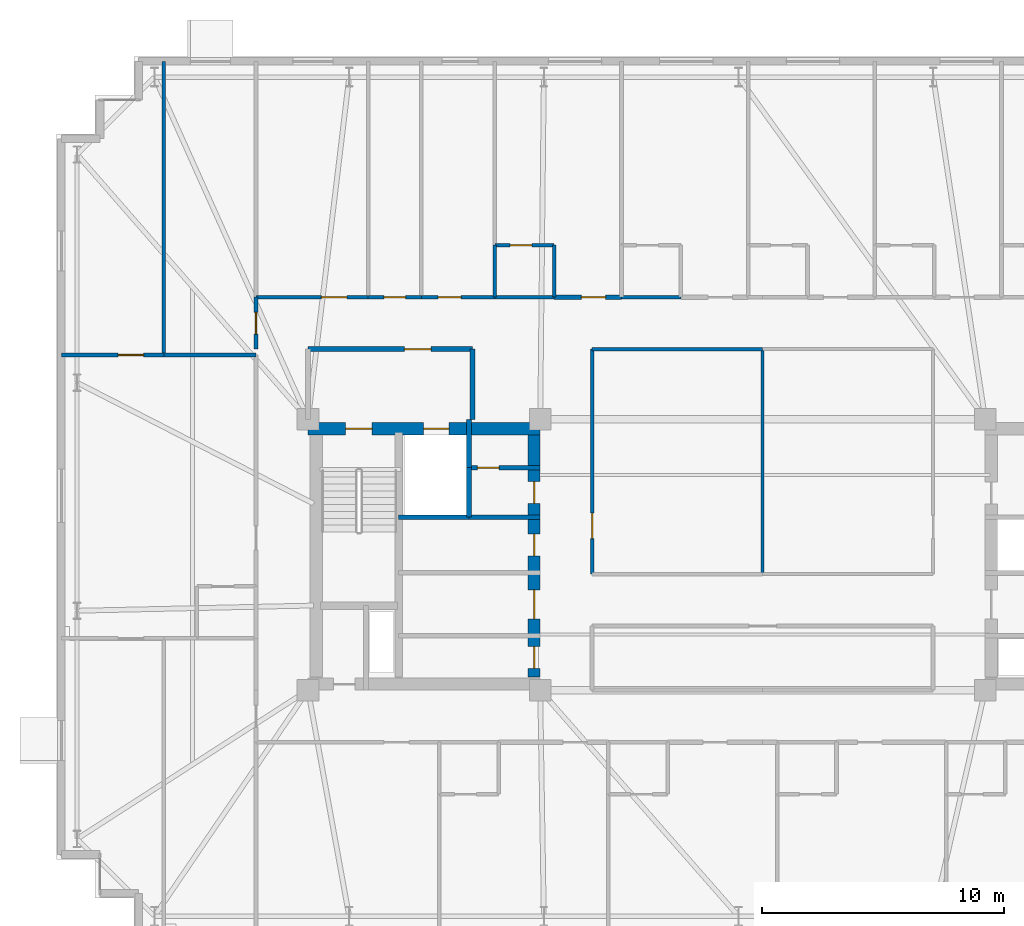
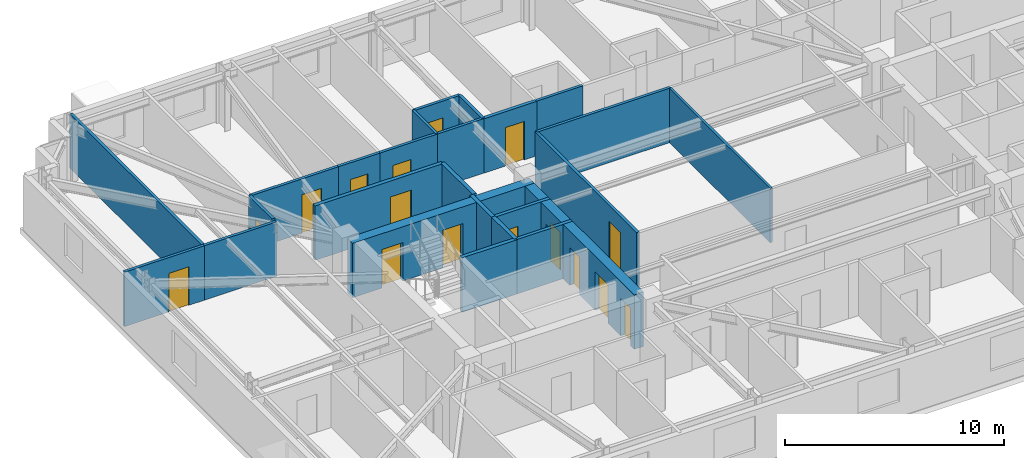
# One storey, part 12 of 17: 25 walls, 16 doors, 16 openings.
"""IFC4 building model written with IfcOpenShell, lengths in metres."""

from ifc_helpers import new_model, si_unit, direction, frame, frame_2d, origin, place, context, subcontext, project, spatial, rectangle, extrude, material, layer, layer_set, type_object, element, fill, save


model = new_model("IFC4")

# Units and contexts
model_context = context("Model", 3, precision=1e-05, world=origin(), true_north=direction((0.0, 1.0)))
body_context = subcontext(model_context, "Body", "Model", "MODEL_VIEW")
ifc_project = project(units=[si_unit("LENGTHUNIT", "METRE"), si_unit("AREAUNIT", "SQUARE_METRE"), si_unit("VOLUMEUNIT", "CUBIC_METRE"), si_unit("PLANEANGLEUNIT", "RADIAN"), si_unit("MASSUNIT", "GRAM", prefix="KILO")], contexts=[model_context])

# Site, building, storey
site_placement = place(None, origin())
site = spatial("IfcSite", under=ifc_project, at=site_placement, CompositionType="ELEMENT")
building_placement = place(site_placement, origin())
building = spatial("IfcBuilding", under=site, at=building_placement, Name="Qobustan Lattice House", CompositionType="ELEMENT")
storey_placement = place(building_placement, frame((0.0, 0.0, 144.39990234375)))
storey = spatial("IfcBuildingStorey", under=building, at=storey_placement, Name="L40", CompositionType="ELEMENT", Elevation=144.39990234375)

# Wall, openings, doors
ifc_material_1 = material(Name="Concrete C50/60", Category="concrete")
ifc_layer_1 = layer(ifc_material_1, 0.5)
ifc_layer_set_1 = layer_set([ifc_layer_1], Name="Concrete C50/60")
wall_type_1 = type_object("IfcWallType", Name="WAL-CORE-500", PredefinedType="SHEAR", material=ifc_layer_set_1)
wall_1_placement = place(storey_placement, frame((-18.800048828125, 5.2099609375, 0.0), z_axis=(0.0, 0.0, 1.0), x_axis=(1.0, 0.0, 0.0)))
wall_1 = element("IfcWall", 1, at=wall_1_placement, inside=storey, type_object=wall_type_1, Name="L40 split-core shear wall CW-N", PredefinedType="SHEAR", context=body_context, shape_type="SweptSolid", body=[
    extrude(rectangle(XDim=9.60009765625, YDim=0.5, at=frame_2d((4.800048828125, 0.0))), origin(), (0.0, 0.0, 1.0), 3.0400390625),
])
opening_1_placement = place(wall_1_placement, frame((1.550048828125, 0.0, 0.0)))
opening_1 = element("IfcOpeningElement", 2, at=opening_1_placement, cuts=wall_1, Name="Opening SD-01", PredefinedType="OPENING", context=body_context, shape_type="SweptSolid", body=[
    extrude(rectangle(XDim=1.10009765625, YDim=2.14990234375, at=frame_2d((0.550048828125, 1.074951171875))), frame((0.0, 0.260009765625, 0.0), z_axis=(0.0, -1.0, 0.0), x_axis=(1.0, 0.0, 0.0)), (0.0, 0.0, 1.0), 0.52001953125),
])
opening_2_placement = place(wall_1_placement, frame((4.77490234375, 0.0, 0.0)))
opening_2 = element("IfcOpeningElement", 3, at=opening_2_placement, cuts=wall_1, Name="Opening LD-01", PredefinedType="OPENING", context=body_context, shape_type="SweptSolid", body=[
    extrude(rectangle(XDim=1.050048828125, YDim=2.10009765625, at=frame_2d((0.52490234375, 1.050048828125))), frame((0.0, 0.260009765625, 0.0), z_axis=(0.0, -1.0, 0.0), x_axis=(1.0, 0.0, 0.0)), (0.0, 0.0, 1.0), 0.52001953125),
])
ifc_material_2 = material(Name="Persian walnut timber and steel frame door", Category="steel")
door_type_1 = type_object("IfcDoorType", Name="DOR-LIFT-LD-1050x2100", OperationType="NOTDEFINED", PredefinedType="DOOR", material=ifc_material_2)
door_1_placement = place(opening_2_placement, origin())
door_1 = element("IfcDoor", 4, at=door_1_placement, inside=storey, type_object=door_type_1, Name="L40 firefighting lift FF-W landing door", OperationType="DOUBLE_DOOR_SLIDING", OverallHeight=2.10009765625, OverallWidth=1.050048828125, PredefinedType="DOOR", context=body_context, shape_type="SweptSolid", body=[
    extrude(rectangle(XDim=1.050048828125, YDim=2.10009765625, at=frame_2d((0.52490234375, 1.050048828125))), frame((0.0, 0.02490234375, 0.0), z_axis=(0.0, -1.0, 0.0), x_axis=(1.0, 0.0, 0.0)), (0.0, 0.0, 1.0), 0.050048828125),
])
fill(opening_2, door_1)
ifc_material_3 = material(Name="Persian walnut timber and steel frame door", Category="steel")
door_type_2 = type_object("IfcDoorType", Name="DOR-STAIR-FD-1100x2150", OperationType="NOTDEFINED", PredefinedType="DOOR", material=ifc_material_3)
door_2_placement = place(opening_1_placement, origin())
door_2 = element("IfcDoor", 5, at=door_2_placement, inside=storey, type_object=door_type_2, Name="L40 exit stair ST-W1 fire door", OperationType="SINGLE_SWING_LEFT", OverallHeight=2.14990234375, OverallWidth=1.10009765625, PredefinedType="DOOR", context=body_context, shape_type="SweptSolid", body=[
    extrude(rectangle(XDim=1.10009765625, YDim=2.14990234375, at=frame_2d((0.550048828125, 1.074951171875))), frame((0.0, 0.02490234375, 0.0), z_axis=(0.0, -1.0, 0.0), x_axis=(1.0, 0.0, 0.0)), (0.0, 0.0, 1.0), 0.050048828125),
])
fill(opening_1, door_2)

wall_2_placement = place(storey_placement, frame((-9.449951171875, -5.050048828125, 0.0), z_axis=(0.0, 0.0, 1.0), x_axis=(0.0, 1.0, 0.0)))
wall_2 = element("IfcWall", 6, at=wall_2_placement, inside=storey, type_object=wall_type_1, Name="L40 split-core shear wall CW-E", PredefinedType="SHEAR", context=body_context, shape_type="SweptSolid", body=[
    extrude(rectangle(XDim=10.10009765625, YDim=0.5, at=frame_2d((5.050048828125, 0.0))), origin(), (0.0, 0.0, 1.0), 3.0400390625),
])
opening_3_placement = place(wall_2_placement, frame((7.175048828125, 0.0, 0.0)))
opening_3 = element("IfcOpeningElement", 7, at=opening_3_placement, cuts=wall_2, Name="Opening RD-01", PredefinedType="OPENING", context=body_context, shape_type="SweptSolid", body=[
    extrude(rectangle(XDim=0.89990234375, YDim=2.10009765625, at=frame_2d((0.449951171875, 1.050048828125))), frame((0.0, 0.260009765625, 0.0), z_axis=(0.0, -1.0, 0.0), x_axis=(1.0, 0.0, 0.0)), (0.0, 0.0, 1.0), 0.52001953125),
])
opening_4_placement = place(wall_2_placement, frame((2.39990234375, 0.0, 0.0)))
opening_4 = element("IfcOpeningElement", 8, at=opening_4_placement, cuts=wall_2, Name="Opening FD-01", PredefinedType="OPENING", context=body_context, shape_type="SweptSolid", body=[
    extrude(rectangle(XDim=1.199951171875, YDim=2.14990234375, at=frame_2d((0.60009765625, 1.074951171875))), frame((0.0, 0.260009765625, 0.0), z_axis=(0.0, -1.0, 0.0), x_axis=(1.0, 0.0, 0.0)), (0.0, 0.0, 1.0), 0.52001953125),
])
opening_5_placement = place(wall_2_placement, frame((0.35009765625, 0.0, 0.0)))
opening_5 = element("IfcOpeningElement", 9, at=opening_5_placement, cuts=wall_2, Name="Opening RD-01", PredefinedType="OPENING", context=body_context, shape_type="SweptSolid", body=[
    extrude(rectangle(XDim=0.89990234375, YDim=2.10009765625, at=frame_2d((0.449951171875, 1.050048828125))), frame((0.0, 0.260009765625, 0.0), z_axis=(0.0, -1.0, 0.0), x_axis=(1.0, 0.0, 0.0)), (0.0, 0.0, 1.0), 0.52001953125),
])
opening_6_placement = place(wall_2_placement, frame((5.0, 0.0, 0.0)))
opening_6 = element("IfcOpeningElement", 10, at=opening_6_placement, cuts=wall_2, Name="Opening RD-01", PredefinedType="OPENING", context=body_context, shape_type="SweptSolid", body=[
    extrude(rectangle(XDim=0.89990234375, YDim=2.10009765625, at=frame_2d((0.449951171875, 1.050048828125))), frame((0.0, 0.260009765625, 0.0), z_axis=(0.0, -1.0, 0.0), x_axis=(1.0, 0.0, 0.0)), (0.0, 0.0, 1.0), 0.52001953125),
])
ifc_material_4 = material(Name="Persian walnut timber and steel frame door", Category="steel")
door_type_3 = type_object("IfcDoorType", Name="DOR-LOBBY-FD-1200x2150", OperationType="NOTDEFINED", PredefinedType="DOOR", material=ifc_material_4)
door_3_placement = place(opening_4_placement, origin())
door_3 = element("IfcDoor", 11, at=door_3_placement, inside=storey, type_object=door_type_3, Name="L40 West core foyer fire door", OperationType="SINGLE_SWING_RIGHT", OverallHeight=2.14990234375, OverallWidth=1.199951171875, PredefinedType="DOOR", context=body_context, shape_type="SweptSolid", body=[
    extrude(rectangle(XDim=1.199951171875, YDim=2.14990234375, at=frame_2d((0.60009765625, 1.074951171875))), frame((0.0, 0.02490234375, 0.0), z_axis=(0.0, -1.0, 0.0), x_axis=(1.0, 0.0, 0.0)), (0.0, 0.0, 1.0), 0.050048828125),
])
fill(opening_4, door_3)
ifc_material_5 = material(Name="Persian walnut timber and steel frame door", Category="steel")
door_type_4 = type_object("IfcDoorType", Name="DOR-RISER-FD-900x2100", OperationType="NOTDEFINED", PredefinedType="DOOR", material=ifc_material_5)
door_4_placement = place(opening_3_placement, origin())
door_4 = element("IfcDoor", 12, at=door_4_placement, inside=storey, type_object=door_type_4, Name="L40 Core utility lobby fire door", OperationType="SINGLE_SWING_LEFT", OverallHeight=2.10009765625, OverallWidth=0.89990234375, PredefinedType="DOOR", context=body_context, shape_type="SweptSolid", body=[
    extrude(rectangle(XDim=0.89990234375, YDim=2.10009765625, at=frame_2d((0.449951171875, 1.050048828125))), frame((0.0, 0.02490234375, 0.0), z_axis=(0.0, -1.0, 0.0), x_axis=(1.0, 0.0, 0.0)), (0.0, 0.0, 1.0), 0.050048828125),
])
fill(opening_3, door_4)
door_5_placement = place(opening_5_placement, origin())
door_5 = element("IfcDoor", 13, at=door_5_placement, inside=storey, type_object=door_type_4, Name="L40 Quiet study alcove fire door", OperationType="SINGLE_SWING_LEFT", OverallHeight=2.10009765625, OverallWidth=0.89990234375, PredefinedType="DOOR", context=body_context, shape_type="SweptSolid", body=[
    extrude(rectangle(XDim=0.89990234375, YDim=2.10009765625, at=frame_2d((0.449951171875, 1.050048828125))), frame((0.0, 0.02490234375, 0.0), z_axis=(0.0, -1.0, 0.0), x_axis=(1.0, 0.0, 0.0)), (0.0, 0.0, 1.0), 0.050048828125),
])
fill(opening_5, door_5)
door_6_placement = place(opening_6_placement, origin())
door_6 = element("IfcDoor", 14, at=door_6_placement, inside=storey, type_object=door_type_4, Name="L40 Resident reading pod fire door", OperationType="SINGLE_SWING_RIGHT", OverallHeight=2.10009765625, OverallWidth=0.89990234375, PredefinedType="DOOR", context=body_context, shape_type="SweptSolid", body=[
    extrude(rectangle(XDim=0.89990234375, YDim=2.10009765625, at=frame_2d((0.449951171875, 1.050048828125))), frame((0.0, 0.02490234375, 0.0), z_axis=(0.0, -1.0, 0.0), x_axis=(1.0, 0.0, 0.0)), (0.0, 0.0, 1.0), 0.050048828125),
])
fill(opening_6, door_6)

# Wall, opening, door
ifc_material_6 = material(Name="Gypsum fireboard acoustic partition", Category="gypsum")
ifc_layer_2 = layer(ifc_material_6, 0.179931640625)
ifc_layer_set_2 = layer_set([ifc_layer_2], Name="Gypsum fireboard acoustic partition")
wall_type_2 = type_object("IfcWallType", Name="WAL-FIRE-180", PredefinedType="PARTITIONING", material=ifc_layer_set_2)
wall_3_placement = place(storey_placement, frame((-9.199951171875, 3.60009765625, 0.0), z_axis=(0.0, 0.0, 1.0), x_axis=(-1.0, 0.0, 0.0)))
wall_3 = element("IfcWall", 15, at=wall_3_placement, inside=storey, type_object=wall_type_2, Name="L40 interior partition 7", PredefinedType="PARTITIONING", context=body_context, shape_type="SweptSolid", body=[
    extrude(rectangle(XDim=2.949951171875, YDim=0.179931640625, at=frame_2d((1.47509765625, 0.0))), origin(), (0.0, 0.0, 1.0), 3.0400390625),
])
opening_7_placement = place(wall_3_placement, frame((1.699951171875, 0.0, 0.0)))
opening_7 = element("IfcOpeningElement", 16, at=opening_7_placement, cuts=wall_3, Name="Opening RD-01", PredefinedType="OPENING", context=body_context, shape_type="SweptSolid", body=[
    extrude(rectangle(XDim=0.89990234375, YDim=2.10009765625, at=frame_2d((0.449951171875, 1.050048828125))), frame((0.0, 0.099853515625, 0.0), z_axis=(0.0, -1.0, 0.0), x_axis=(1.0, 0.0, 0.0)), (0.0, 0.0, 1.0), 0.199951171875),
])
door_7_placement = place(opening_7_placement, origin())
door_7 = element("IfcDoor", 17, at=door_7_placement, inside=storey, type_object=door_type_4, Name="L40 Core utility lobby to Cleaner store door", OperationType="SINGLE_SWING_RIGHT", OverallHeight=2.10009765625, OverallWidth=0.89990234375, PredefinedType="DOOR", context=body_context, shape_type="SweptSolid", body=[
    extrude(rectangle(XDim=0.89990234375, YDim=2.10009765625, at=frame_2d((0.449951171875, 1.050048828125))), frame((0.0, 0.02490234375, 0.0), z_axis=(0.0, -1.0, 0.0), x_axis=(1.0, 0.0, 0.0)), (0.0, 0.0, 1.0), 0.050048828125),
])
fill(opening_7, door_7)

# Wall
wall_4_placement = place(storey_placement, frame((-12.14990234375, 1.550048828125, 0.0), z_axis=(0.0, 0.0, 1.0), x_axis=(1.0, 0.0, 0.0)))
element("IfcWall", 18, at=wall_4_placement, inside=storey, type_object=wall_type_2, Name="L40 interior partition 8", PredefinedType="PARTITIONING", context=body_context, shape_type="SweptSolid", body=[
    extrude(rectangle(XDim=2.949951171875, YDim=0.179931640625, at=frame_2d((1.47509765625, 0.0))), origin(), (0.0, 0.0, 1.0), 3.0400390625),
])

# Wall, opening, door
wall_5_placement = place(storey_placement, frame((-8.625, 10.64990234375, 0.0), z_axis=(0.0, 0.0, 1.0), x_axis=(1.0, 0.0, 0.0)))
wall_5 = element("IfcWall", 19, at=wall_5_placement, inside=storey, type_object=wall_type_2, Name="L40 interior partition 36", PredefinedType="PARTITIONING", context=body_context, shape_type="SweptSolid", body=[
    extrude(rectangle(XDim=2.787109375, YDim=0.179931640625, at=frame_2d((1.3935546875, 0.0))), origin(), (0.0, 0.0, 1.0), 3.0400390625),
])
opening_8_placement = place(wall_5_placement, frame((1.128662109375, 0.0, 0.0)))
opening_8 = element("IfcOpeningElement", 20, at=opening_8_placement, cuts=wall_5, Name="Opening FD-02", PredefinedType="OPENING", context=body_context, shape_type="SweptSolid", body=[
    extrude(rectangle(XDim=1.0, YDim=2.14990234375, at=frame_2d((0.5, 1.074951171875))), frame((0.0, 0.099853515625, 0.0), z_axis=(0.0, -1.0, 0.0), x_axis=(1.0, 0.0, 0.0)), (0.0, 0.0, 1.0), 0.199951171875),
])
ifc_material_7 = material(Name="Persian walnut timber and steel frame door", Category="steel")
door_type_5 = type_object("IfcDoorType", Name="DOR-UNIT-FD-1000x2150", OperationType="NOTDEFINED", PredefinedType="DOOR", material=ifc_material_7)
door_8_placement = place(opening_8_placement, origin())
door_8 = element("IfcDoor", 21, at=door_8_placement, inside=storey, type_object=door_type_5, Name="L40 North-west floor corridor to Kitchenette and studio apartment L40-N3 door", OperationType="SINGLE_SWING_RIGHT", OverallHeight=2.14990234375, OverallWidth=1.0, PredefinedType="DOOR", context=body_context, shape_type="SweptSolid", body=[
    extrude(rectangle(XDim=1.0, YDim=2.14990234375, at=frame_2d((0.5, 1.074951171875))), frame((0.0, 0.02490234375, 0.0), z_axis=(0.0, -1.0, 0.0), x_axis=(1.0, 0.0, 0.0)), (0.0, 0.0, 1.0), 0.050048828125),
])
fill(opening_8, door_8)

# Wall
ifc_material_8 = material(Name="Lightweight acoustic stud partition", Category="gypsum")
ifc_layer_3 = layer(ifc_material_8, 0.125)
ifc_layer_set_3 = layer_set([ifc_layer_3], Name="Lightweight acoustic stud partition")
wall_type_3 = type_object("IfcWallType", Name="WAL-PART-125", PredefinedType="PARTITIONING", material=ifc_layer_set_3)
wall_6_placement = place(storey_placement, frame((0.0, 8.5, 0.0), z_axis=(0.0, 0.0, 1.0), x_axis=(0.0, -1.0, 0.0)))
element("IfcWall", 22, at=wall_6_placement, inside=storey, type_object=wall_type_3, Name="L40 interior partition 137", PredefinedType="PARTITIONING", context=body_context, shape_type="SweptSolid", body=[
    extrude(rectangle(XDim=9.300048828125, YDim=0.125, at=frame_2d((4.64990234375, 0.0))), origin(), (0.0, 0.0, 1.0), 3.0400390625),
])

# Wall, opening, door
ifc_material_9 = material(Name="Acoustic twin-stud gypsum partition", Category="gypsum")
ifc_layer_4 = layer(ifc_material_9, 0.14990234375)
ifc_layer_set_4 = layer_set([ifc_layer_4], Name="Acoustic twin-stud gypsum partition")
wall_type_4 = type_object("IfcWallType", Name="WAL-PART-150", PredefinedType="PARTITIONING", material=ifc_layer_set_4)
wall_7_placement = place(storey_placement, frame((-20.949951171875, 8.5, 0.0), z_axis=(0.0, 0.0, 1.0), x_axis=(0.0, 1.0, 0.0)))
wall_7 = element("IfcWall", 23, at=wall_7_placement, inside=storey, type_object=wall_type_4, Name="L40 interior partition 32", PredefinedType="PARTITIONING", context=body_context, shape_type="SweptSolid", body=[
    extrude(rectangle(XDim=2.14990234375, YDim=0.14990234375, at=frame_2d((1.074951171875, 0.0))), origin(), (0.0, 0.0, 1.0), 3.0400390625),
])
opening_9_placement = place(wall_7_placement, frame((0.625, 0.0, 0.0)))
opening_9 = element("IfcOpeningElement", 24, at=opening_9_placement, cuts=wall_7, Name="Opening WD-01", PredefinedType="OPENING", context=body_context, shape_type="SweptSolid", body=[
    extrude(rectangle(XDim=0.89990234375, YDim=2.10009765625, at=frame_2d((0.449951171875, 1.050048828125))), frame((0.0, 0.0849609375, 0.0), z_axis=(0.0, -1.0, 0.0), x_axis=(1.0, 0.0, 0.0)), (0.0, 0.0, 1.0), 0.169921875),
])
ifc_material_10 = material(Name="Persian walnut timber and steel frame door", Category="steel")
door_type_6 = type_object("IfcDoorType", Name="DOR-WET-900x2100", OperationType="NOTDEFINED", PredefinedType="DOOR", material=ifc_material_10)
door_9_placement = place(opening_9_placement, origin())
door_9 = element("IfcDoor", 25, at=door_9_placement, inside=storey, type_object=door_type_6, Name="L40 North-west floor corridor to Focus study room W3B door", OperationType="SINGLE_SWING_RIGHT", OverallHeight=2.10009765625, OverallWidth=0.89990234375, PredefinedType="DOOR", context=body_context, shape_type="SweptSolid", body=[
    extrude(rectangle(XDim=0.89990234375, YDim=2.10009765625, at=frame_2d((0.449951171875, 1.050048828125))), frame((0.0, 0.02490234375, 0.0), z_axis=(0.0, -1.0, 0.0), x_axis=(1.0, 0.0, 0.0)), (0.0, 0.0, 1.0), 0.050048828125),
])
fill(opening_9, door_9)

wall_8_placement = place(storey_placement, frame((-20.949951171875, 10.64990234375, 0.0), z_axis=(0.0, 0.0, 1.0), x_axis=(1.0, 0.0, 0.0)))
wall_8 = element("IfcWall", 26, at=wall_8_placement, inside=storey, type_object=wall_type_4, Name="L40 interior partition 33", PredefinedType="PARTITIONING", context=body_context, shape_type="SweptSolid", body=[
    extrude(rectangle(XDim=4.637939453125, YDim=0.14990234375, at=frame_2d((2.31884765625, 0.0))), origin(), (0.0, 0.0, 1.0), 3.0400390625),
])
opening_10_placement = place(wall_8_placement, frame((2.70458984375, 0.0, 0.0)))
opening_10 = element("IfcOpeningElement", 27, at=opening_10_placement, cuts=wall_8, Name="Opening ID-02", PredefinedType="OPENING", context=body_context, shape_type="SweptSolid", body=[
    extrude(rectangle(XDim=1.050048828125, YDim=2.14990234375, at=frame_2d((0.52490234375, 1.074951171875))), frame((0.0, 0.0849609375, 0.0), z_axis=(0.0, -1.0, 0.0), x_axis=(1.0, 0.0, 0.0)), (0.0, 0.0, 1.0), 0.169921875),
])
ifc_material_11 = material(Name="Persian walnut timber and steel frame door", Category="steel")
door_type_7 = type_object("IfcDoorType", Name="DOR-STUDY-1050x2150", OperationType="NOTDEFINED", PredefinedType="DOOR", material=ifc_material_11)
door_10_placement = place(opening_10_placement, origin())
door_10 = element("IfcDoor", 28, at=door_10_placement, inside=storey, type_object=door_type_7, Name="L40 North-west floor corridor to Focus study room N1 door", OperationType="SINGLE_SWING_LEFT", OverallHeight=2.14990234375, OverallWidth=1.050048828125, PredefinedType="DOOR", context=body_context, shape_type="SweptSolid", body=[
    extrude(rectangle(XDim=1.050048828125, YDim=2.14990234375, at=frame_2d((0.52490234375, 1.074951171875))), frame((0.0, 0.02490234375, 0.0), z_axis=(0.0, -1.0, 0.0), x_axis=(1.0, 0.0, 0.0)), (0.0, 0.0, 1.0), 0.050048828125),
])
fill(opening_10, door_10)

wall_9_placement = place(storey_placement, frame((-14.112060546875, 10.64990234375, 0.0), z_axis=(0.0, 0.0, 1.0), x_axis=(1.0, 0.0, 0.0)))
wall_9 = element("IfcWall", 29, at=wall_9_placement, inside=storey, type_object=wall_type_4, Name="L40 interior partition 35", PredefinedType="PARTITIONING", context=body_context, shape_type="SweptSolid", body=[
    extrude(rectangle(XDim=3.037109375, YDim=0.14990234375, at=frame_2d((1.5185546875, 0.0))), origin(), (0.0, 0.0, 1.0), 3.0400390625),
])
opening_11_placement = place(wall_9_placement, frame((0.69580078125, 0.0, 0.0)))
opening_11 = element("IfcOpeningElement", 30, at=opening_11_placement, cuts=wall_9, Name="Opening ID-01", PredefinedType="OPENING", context=body_context, shape_type="SweptSolid", body=[
    extrude(rectangle(XDim=0.949951171875, YDim=2.10009765625, at=frame_2d((0.47509765625, 1.050048828125))), frame((0.0, 0.0849609375, 0.0), z_axis=(0.0, -1.0, 0.0), x_axis=(1.0, 0.0, 0.0)), (0.0, 0.0, 1.0), 0.169921875),
])
ifc_material_12 = material(Name="Persian walnut timber and steel frame door", Category="steel")
door_type_8 = type_object("IfcDoorType", Name="DOR-ROOM-950x2100", OperationType="NOTDEFINED", PredefinedType="DOOR", material=ifc_material_12)
door_11_placement = place(opening_11_placement, origin())
door_11 = element("IfcDoor", 31, at=door_11_placement, inside=storey, type_object=door_type_8, Name="L40 North-west floor corridor to Laundry utility room door", OperationType="SINGLE_SWING_LEFT", OverallHeight=2.10009765625, OverallWidth=0.949951171875, PredefinedType="DOOR", context=body_context, shape_type="SweptSolid", body=[
    extrude(rectangle(XDim=0.949951171875, YDim=2.10009765625, at=frame_2d((0.47509765625, 1.050048828125))), frame((0.0, 0.02490234375, 0.0), z_axis=(0.0, -1.0, 0.0), x_axis=(1.0, 0.0, 0.0)), (0.0, 0.0, 1.0), 0.050048828125),
])
fill(opening_11, door_11)

# Wall
wall_10_placement = place(storey_placement, frame((0.0, 8.5, 0.0), z_axis=(0.0, 0.0, 1.0), x_axis=(-1.0, 0.0, 0.0)))
element("IfcWall", 32, at=wall_10_placement, inside=storey, type_object=wall_type_4, Name="L40 interior partition 41", PredefinedType="PARTITIONING", context=body_context, shape_type="SweptSolid", body=[
    extrude(rectangle(XDim=7.050048828125, YDim=0.14990234375, at=frame_2d((3.52490234375, 0.0))), origin(), (0.0, 0.0, 1.0), 3.0400390625),
])

# Wall, opening, door
wall_11_placement = place(storey_placement, frame((-7.050048828125, 8.5, 0.0), z_axis=(0.0, 0.0, 1.0), x_axis=(0.0, -1.0, 0.0)))
wall_11 = element("IfcWall", 33, at=wall_11_placement, inside=storey, type_object=wall_type_4, Name="L40 interior partition 75", PredefinedType="PARTITIONING", context=body_context, shape_type="SweptSolid", body=[
    extrude(rectangle(XDim=9.300048828125, YDim=0.14990234375, at=frame_2d((4.64990234375, 0.0))), origin(), (0.0, 0.0, 1.0), 3.0400390625),
])
opening_12_placement = place(wall_11_placement, frame((6.78369140625, 0.0, 0.0)))
opening_12 = element("IfcOpeningElement", 34, at=opening_12_placement, cuts=wall_11, Name="Opening ID-02", PredefinedType="OPENING", context=body_context, shape_type="SweptSolid", body=[
    extrude(rectangle(XDim=1.050048828125, YDim=2.14990234375, at=frame_2d((0.52490234375, 1.074951171875))), frame((0.0, 0.0849609375, 0.0), z_axis=(0.0, -1.0, 0.0), x_axis=(1.0, 0.0, 0.0)), (0.0, 0.0, 1.0), 0.169921875),
])
door_12_placement = place(opening_12_placement, origin())
door_12 = element("IfcDoor", 35, at=door_12_placement, inside=storey, type_object=door_type_7, Name="L40 West floor link corridor to Central study commons door", OperationType="SINGLE_SWING_RIGHT", OverallHeight=2.14990234375, OverallWidth=1.050048828125, PredefinedType="DOOR", context=body_context, shape_type="SweptSolid", body=[
    extrude(rectangle(XDim=1.050048828125, YDim=2.14990234375, at=frame_2d((0.52490234375, 1.074951171875))), frame((0.0, 0.02490234375, 0.0), z_axis=(0.0, -1.0, 0.0), x_axis=(1.0, 0.0, 0.0)), (0.0, 0.0, 1.0), 0.050048828125),
])
fill(opening_12, door_12)

wall_12_placement = place(storey_placement, frame((-29.0, 8.260009765625, 0.0), z_axis=(0.0, 0.0, 1.0), x_axis=(1.0, 0.0, 0.0)))
wall_12 = element("IfcWall", 36, at=wall_12_placement, inside=storey, type_object=wall_type_4, Name="L40 interior partition 86", PredefinedType="PARTITIONING", context=body_context, shape_type="SweptSolid", body=[
    extrude(rectangle(XDim=4.235107421875, YDim=0.14990234375, at=frame_2d((2.11767578125, 0.0))), origin(), (0.0, 0.0, 1.0), 3.0400390625),
])
opening_13_placement = place(wall_12_placement, frame((2.351806640625, 0.0, 0.0)))
opening_13 = element("IfcOpeningElement", 37, at=opening_13_placement, cuts=wall_12, Name="Opening ID-02", PredefinedType="OPENING", context=body_context, shape_type="SweptSolid", body=[
    extrude(rectangle(XDim=1.050048828125, YDim=2.14990234375, at=frame_2d((0.52490234375, 1.074951171875))), frame((0.0, 0.0849609375, 0.0), z_axis=(0.0, -1.0, 0.0), x_axis=(1.0, 0.0, 0.0)), (0.0, 0.0, 1.0), 0.169921875),
])
door_13_placement = place(opening_13_placement, origin())
door_13 = element("IfcDoor", 38, at=door_13_placement, inside=storey, type_object=door_type_7, Name="L40 Kitchenette and studio apartment L40-W2 to Focus study room W3A door", OperationType="SINGLE_SWING_RIGHT", OverallHeight=2.14990234375, OverallWidth=1.050048828125, PredefinedType="DOOR", context=body_context, shape_type="SweptSolid", body=[
    extrude(rectangle(XDim=1.050048828125, YDim=2.14990234375, at=frame_2d((0.52490234375, 1.074951171875))), frame((0.0, 0.02490234375, 0.0), z_axis=(0.0, -1.0, 0.0), x_axis=(1.0, 0.0, 0.0)), (0.0, 0.0, 1.0), 0.050048828125),
])
fill(opening_13, door_13)

# Walls
wall_13_placement = place(storey_placement, frame((-24.764892578125, 8.260009765625, 0.0), z_axis=(0.0, 0.0, 1.0), x_axis=(1.0, 0.0, 0.0)))
element("IfcWall", 39, at=wall_13_placement, inside=storey, type_object=wall_type_4, Name="L40 interior partition 87", PredefinedType="PARTITIONING", context=body_context, shape_type="SweptSolid", body=[
    extrude(rectangle(XDim=3.81494140625, YDim=0.14990234375, at=frame_2d((1.907470703125, 0.0))), origin(), (0.0, 0.0, 1.0), 3.0400390625),
])
wall_14_placement = place(storey_placement, frame((-24.764892578125, 20.39990234375, 0.0), z_axis=(0.0, 0.0, 1.0), x_axis=(0.0, -1.0, 0.0)))
element("IfcWall", 40, at=wall_14_placement, inside=storey, type_object=wall_type_4, Name="L40 interior partition 88", PredefinedType="PARTITIONING", context=body_context, shape_type="SweptSolid", body=[
    extrude(rectangle(XDim=12.139892578125, YDim=0.14990234375, at=frame_2d((6.06982421875, 0.0))), origin(), (0.0, 0.0, 1.0), 3.0400390625),
])

# Wall, opening, door
ifc_material_13 = material(Name="Two-hour gypsum fireboard acoustic partition", Category="gypsum")
ifc_layer_5 = layer(ifc_material_13, 0.199951171875)
ifc_layer_set_5 = layer_set([ifc_layer_5], Name="Two-hour gypsum fireboard acoustic partition")
wall_type_5 = type_object("IfcWallType", Name="WAL-PROT-200", PredefinedType="PARTITIONING", material=ifc_layer_set_5)
wall_15_placement = place(storey_placement, frame((-12.0, 8.5, 0.0), z_axis=(0.0, 0.0, 1.0), x_axis=(-1.0, 0.0, 0.0)))
wall_15 = element("IfcWall", 41, at=wall_15_placement, inside=storey, type_object=wall_type_5, Name="L40 interior partition 4", PredefinedType="PARTITIONING", context=body_context, shape_type="SweptSolid", body=[
    extrude(rectangle(XDim=6.800048828125, YDim=0.199951171875, at=frame_2d((3.39990234375, 0.0))), origin(), (0.0, 0.0, 1.0), 3.0400390625),
])
opening_14_placement = place(wall_15_placement, frame((1.715087890625, 0.0, 0.0)))
opening_14 = element("IfcOpeningElement", 42, at=opening_14_placement, cuts=wall_15, Name="Opening SD-01", PredefinedType="OPENING", context=body_context, shape_type="SweptSolid", body=[
    extrude(rectangle(XDim=1.10009765625, YDim=2.14990234375, at=frame_2d((0.550048828125, 1.074951171875))), frame((0.0, 0.10986328125, 0.0), z_axis=(0.0, -1.0, 0.0), x_axis=(1.0, 0.0, 0.0)), (0.0, 0.0, 1.0), 0.219970703125),
])
door_14_placement = place(opening_14_placement, origin())
door_14 = element("IfcDoor", 43, at=door_14_placement, inside=storey, type_object=door_type_2, Name="L40 West firefighting lift lobby to North-west floor corridor door", OperationType="SINGLE_SWING_LEFT", OverallHeight=2.14990234375, OverallWidth=1.10009765625, PredefinedType="DOOR", context=body_context, shape_type="SweptSolid", body=[
    extrude(rectangle(XDim=1.10009765625, YDim=2.14990234375, at=frame_2d((0.550048828125, 1.074951171875))), frame((0.0, 0.02490234375, 0.0), z_axis=(0.0, -1.0, 0.0), x_axis=(1.0, 0.0, 0.0)), (0.0, 0.0, 1.0), 0.050048828125),
])
fill(opening_14, door_14)

# Walls
wall_16_placement = place(storey_placement, frame((-12.0, 5.60009765625, 0.0), z_axis=(0.0, 0.0, 1.0), x_axis=(0.0, 1.0, 0.0)))
element("IfcWall", 44, at=wall_16_placement, inside=storey, type_object=wall_type_5, Name="L40 interior partition 6", PredefinedType="PARTITIONING", context=body_context, shape_type="SweptSolid", body=[
    extrude(rectangle(XDim=2.89990234375, YDim=0.199951171875, at=frame_2d((1.449951171875, 0.0))), origin(), (0.0, 0.0, 1.0), 3.0400390625),
])
ifc_material_14 = material(Name="Concrete C40/50", Category="concrete")
ifc_layer_6 = layer(ifc_material_14, 0.199951171875)
ifc_layer_set_6 = layer_set([ifc_layer_6], Name="Concrete C40/50")
wall_type_6 = type_object("IfcWallType", Name="WAL-SHAFT-200", PredefinedType="PARTITIONING", material=ifc_layer_set_6)
wall_17_placement = place(storey_placement, frame((-12.14990234375, 1.550048828125, 0.0), z_axis=(0.0, 0.0, 1.0), x_axis=(0.0, 1.0, 0.0)))
element("IfcWall", 45, at=wall_17_placement, inside=storey, type_object=wall_type_6, Name="L40 interior partition 2", PredefinedType="PARTITIONING", context=body_context, shape_type="SweptSolid", body=[
    extrude(rectangle(XDim=2.050048828125, YDim=0.199951171875, at=frame_2d((1.02490234375, 0.0))), origin(), (0.0, 0.0, 1.0), 3.0400390625),
])
wall_18_placement = place(storey_placement, frame((-12.14990234375, 3.60009765625, 0.0), z_axis=(0.0, 0.0, 1.0), x_axis=(0.0, 1.0, 0.0)))
element("IfcWall", 46, at=wall_18_placement, inside=storey, type_object=wall_type_6, Name="L40 interior partition 3", PredefinedType="PARTITIONING", context=body_context, shape_type="SweptSolid", body=[
    extrude(rectangle(XDim=2.0, YDim=0.199951171875, at=frame_2d((1.0, 0.0))), origin(), (0.0, 0.0, 1.0), 3.0400390625),
])
wall_19_placement = place(storey_placement, frame((-15.050048828125, 1.550048828125, 0.0), z_axis=(0.0, 0.0, 1.0), x_axis=(1.0, 0.0, 0.0)))
element("IfcWall", 47, at=wall_19_placement, inside=storey, type_object=wall_type_6, Name="L40 interior partition 138", PredefinedType="PARTITIONING", context=body_context, shape_type="SweptSolid", body=[
    extrude(rectangle(XDim=2.900146484375, YDim=0.199951171875, at=frame_2d((1.4501953125, 0.0))), origin(), (0.0, 0.0, 1.0), 3.0400390625),
])

# Wall, opening, door
ifc_material_15 = material(Name="Moisture-resistant acoustic plumbing wall", Category="gypsum")
ifc_layer_7 = layer(ifc_material_15, 0.14990234375)
ifc_layer_set_7 = layer_set([ifc_layer_7], Name="Moisture-resistant acoustic plumbing wall")
wall_type_7 = type_object("IfcWallType", Name="WAL-WET-150", PredefinedType="PLUMBINGWALL", material=ifc_layer_set_7)
wall_20_placement = place(storey_placement, frame((-16.31201171875, 10.64990234375, 0.0), z_axis=(0.0, 0.0, 1.0), x_axis=(1.0, 0.0, 0.0)))
wall_20 = element("IfcWall", 48, at=wall_20_placement, inside=storey, type_object=wall_type_7, Name="L40 interior partition 34", PredefinedType="PLUMBINGWALL", context=body_context, shape_type="SweptSolid", body=[
    extrude(rectangle(XDim=2.199951171875, YDim=0.14990234375, at=frame_2d((1.10009765625, 0.0))), origin(), (0.0, 0.0, 1.0), 3.0400390625),
])
opening_15_placement = place(wall_20_placement, frame((0.64990234375, 0.0, 0.0)))
opening_15 = element("IfcOpeningElement", 49, at=opening_15_placement, cuts=wall_20, Name="Opening WD-01", PredefinedType="OPENING", context=body_context, shape_type="SweptSolid", body=[
    extrude(rectangle(XDim=0.89990234375, YDim=2.10009765625, at=frame_2d((0.449951171875, 1.050048828125))), frame((0.0, 0.0849609375, 0.0), z_axis=(0.0, -1.0, 0.0), x_axis=(1.0, 0.0, 0.0)), (0.0, 0.0, 1.0), 0.169921875),
])
door_15_placement = place(opening_15_placement, origin())
door_15 = element("IfcDoor", 50, at=door_15_placement, inside=storey, type_object=door_type_6, Name="L40 North-west floor corridor to Accessible WC door", OperationType="SINGLE_SWING_RIGHT", OverallHeight=2.10009765625, OverallWidth=0.89990234375, PredefinedType="DOOR", context=body_context, shape_type="SweptSolid", body=[
    extrude(rectangle(XDim=0.89990234375, YDim=2.10009765625, at=frame_2d((0.449951171875, 1.050048828125))), frame((0.0, 0.02490234375, 0.0), z_axis=(0.0, -1.0, 0.0), x_axis=(1.0, 0.0, 0.0)), (0.0, 0.0, 1.0), 0.050048828125),
])
fill(opening_15, door_15)

# Walls
for number, where, z_axis, x_axis, name in (
    (51, (-11.074951171875, 10.64990234375, 0.0), (0.0, 0.0, 1.0), (1.0, 0.0, 0.0), "L40 interior partition 37"),
    (52, (-5.837890625, 10.64990234375, 0.0), (0.0, 0.0, 1.0), (1.0, 0.0, 0.0), "L40 interior partition 39"),
):
    element("IfcWall", number, at=place(storey_placement, frame(where, z_axis=z_axis, x_axis=x_axis)), inside=storey, type_object=wall_type_7, Name=name, PredefinedType="PLUMBINGWALL", context=body_context, shape_type="SweptSolid", body=[
        extrude(rectangle(XDim=2.449951171875, YDim=0.14990234375, at=frame_2d((1.22509765625, 0.0))), origin(), (0.0, 0.0, 1.0), 3.0400390625),
    ])
wall_21_placement = place(storey_placement, frame((-11.074951171875, 12.800048828125, 0.0), z_axis=(0.0, 0.0, 1.0), x_axis=(0.0, -1.0, 0.0)))
element("IfcWall", 53, at=wall_21_placement, inside=storey, type_object=wall_type_7, Name="L40 interior partition 100", PredefinedType="PLUMBINGWALL", context=body_context, shape_type="SweptSolid", body=[
    extrude(rectangle(XDim=2.150146484375, YDim=0.14990234375, at=frame_2d((1.0751953125, 0.0))), origin(), (0.0, 0.0, 1.0), 3.0400390625),
])

# Wall, opening, door
wall_22_placement = place(storey_placement, frame((-8.625, 12.800048828125, 0.0), z_axis=(0.0, 0.0, 1.0), x_axis=(-1.0, 0.0, 0.0)))
wall_22 = element("IfcWall", 54, at=wall_22_placement, inside=storey, type_object=wall_type_7, Name="L40 interior partition 101", PredefinedType="PLUMBINGWALL", context=body_context, shape_type="SweptSolid", body=[
    extrude(rectangle(XDim=2.449951171875, YDim=0.14990234375, at=frame_2d((1.22509765625, 0.0))), origin(), (0.0, 0.0, 1.0), 3.0400390625),
])
opening_16_placement = place(wall_22_placement, frame((0.921142578125, 0.0, 0.0)))
opening_16 = element("IfcOpeningElement", 55, at=opening_16_placement, cuts=wall_22, Name="Opening WD-01", PredefinedType="OPENING", context=body_context, shape_type="SweptSolid", body=[
    extrude(rectangle(XDim=0.89990234375, YDim=2.10009765625, at=frame_2d((0.449951171875, 1.050048828125))), frame((0.0, 0.0849609375, 0.0), z_axis=(0.0, -1.0, 0.0), x_axis=(1.0, 0.0, 0.0)), (0.0, 0.0, 1.0), 0.169921875),
])
door_16_placement = place(opening_16_placement, origin())
door_16 = element("IfcDoor", 56, at=door_16_placement, inside=storey, type_object=door_type_6, Name="L40 Kitchenette and studio apartment L40-N3 to En-suite bathroom L40-N3 door", OperationType="SINGLE_SWING_RIGHT", OverallHeight=2.10009765625, OverallWidth=0.89990234375, PredefinedType="DOOR", context=body_context, shape_type="SweptSolid", body=[
    extrude(rectangle(XDim=0.89990234375, YDim=2.10009765625, at=frame_2d((0.449951171875, 1.050048828125))), frame((0.0, 0.02490234375, 0.0), z_axis=(0.0, -1.0, 0.0), x_axis=(1.0, 0.0, 0.0)), (0.0, 0.0, 1.0), 0.050048828125),
])
fill(opening_16, door_16)

# Wall
wall_23_placement = place(storey_placement, frame((-8.625, 10.64990234375, 0.0), z_axis=(0.0, 0.0, 1.0), x_axis=(0.0, 1.0, 0.0)))
element("IfcWall", 57, at=wall_23_placement, inside=storey, type_object=wall_type_7, Name="L40 interior partition 102", PredefinedType="PLUMBINGWALL", context=body_context, shape_type="SweptSolid", body=[
    extrude(rectangle(XDim=2.150146484375, YDim=0.14990234375, at=frame_2d((1.0751953125, 0.0))), origin(), (0.0, 0.0, 1.0), 3.0400390625),
])

save(model, "model.ifc")
